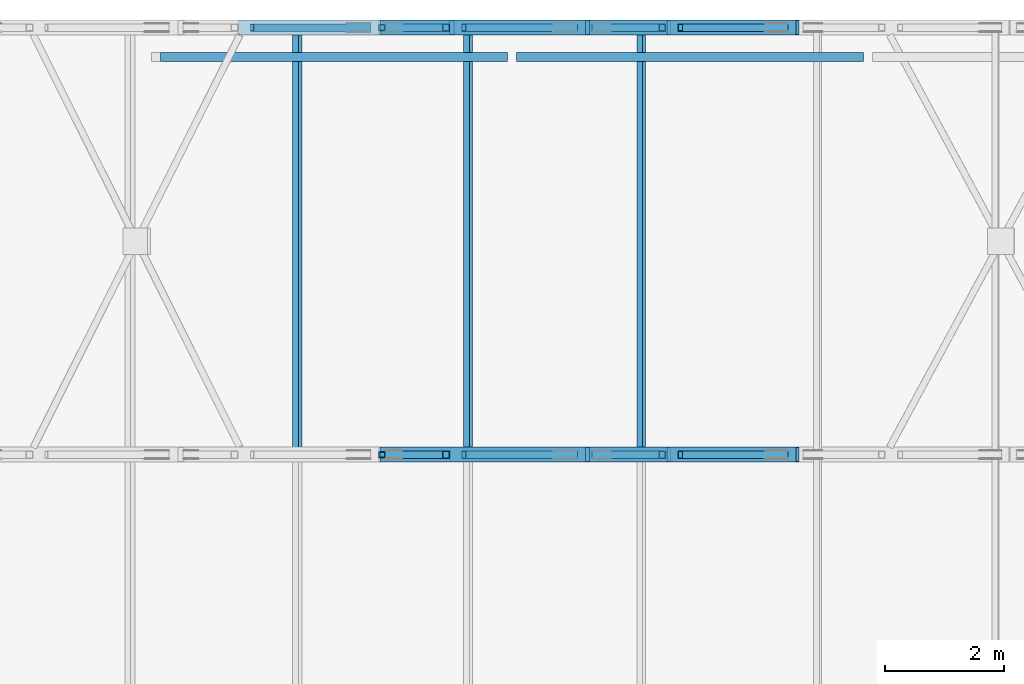
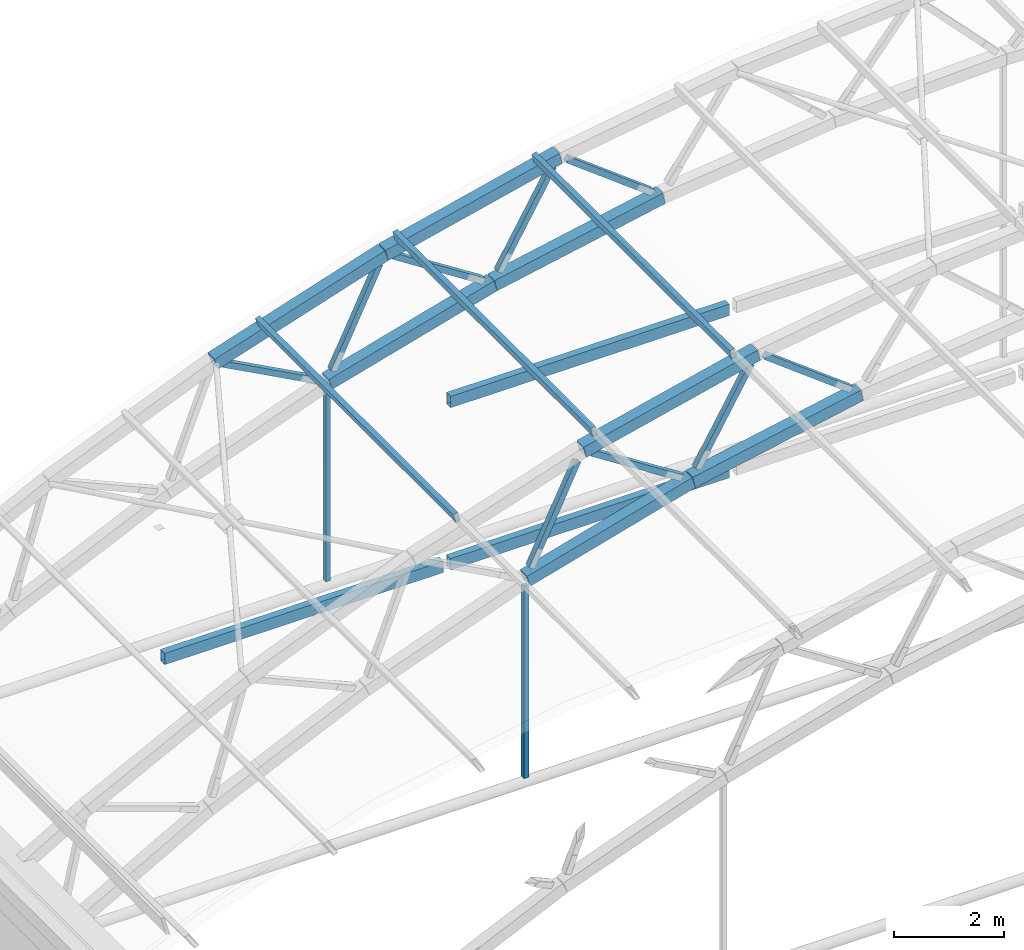
# One storey, part 44 of 127: 21 members, 3 beams.
"""IFC4 building model written with IfcOpenShell, lengths in metres."""

from ifc_helpers import new_model, si_unit, direction, frame, origin, origin_2d, place, context, subcontext, project, spatial, hollow_rectangle, extrude, material, material_profile, profile_set, type_object, element, save


model = new_model("IFC4")

# Units and contexts
model_context = context("Model", 3, precision=1e-05, world=origin(), true_north=direction((0.0, 1.0)))
body_context = subcontext(model_context, "Body", "Model", "MODEL_VIEW")
ifc_project = project(units=[si_unit("LENGTHUNIT", "METRE"), si_unit("AREAUNIT", "SQUARE_METRE"), si_unit("VOLUMEUNIT", "CUBIC_METRE"), si_unit("PLANEANGLEUNIT", "RADIAN"), si_unit("MASSUNIT", "GRAM", prefix="KILO")], contexts=[model_context])

# Site, building, storey
site_placement = place(None, origin())
site = spatial("IfcSite", under=ifc_project, at=site_placement, CompositionType="ELEMENT")
building_placement = place(site_placement, origin())
building = spatial("IfcBuilding", under=site, at=building_placement, Name="Verrick Yard Athletic Hall", CompositionType="ELEMENT")
storey_placement = place(building_placement, frame((0.0, 0.0, 14.0)))
storey = spatial("IfcBuildingStorey", under=building, at=storey_placement, Name="L03", CompositionType="ELEMENT", Elevation=14.0)

# Members
ifc_material = material(Name="Structural steel HSS Class C 350W (CSA G40.20/G40.21)", Category="steel")
ifc_material_profile_1 = material_profile(ifc_material, hollow_rectangle(XDim=0.25390625, YDim=0.25390625, WallThickness=0.009521484375, at=origin_2d()), Name="HSS254x254x9.5")
ifc_profile_set_1 = profile_set([ifc_material_profile_1], Name="Structural steel HSS Class C 350W (CSA G40.20/G40.21)")
member_type_1 = type_object("IfcMemberType", Name="HB bottom chord HSS254x254x9.5", PredefinedType="CHORD", material=ifc_profile_set_1)
for number, where, z_axis, x_axis, name in (
    (1, (131.412353515625, 100.800048828125, 4.514404296875), (0.962572378456, 0.0, 0.271024752066), (0.0, 1.0, 0.0), "Truss TA5 bottom chord 4"),
    (2, (134.883544921875, 100.800048828125, 5.4912109375), (0.980846119722, 0.0, 0.194784212465), (0.0, 1.0, 0.0), "Truss TA5 bottom chord 5"),
    (3, (131.412353515625, 108.0, 4.514404296875), (0.962572378456, 0.0, 0.271024752066), (0.0, 1.0, 0.0), "Truss TA6 bottom chord 4"),
    (4, (134.883544921875, 108.0, 5.4912109375), (0.980846119722, 0.0, 0.194784212465), (0.0, 1.0, 0.0), "Truss TA6 bottom chord 5"),
):
    element("IfcMember", number, at=place(storey_placement, frame(where, z_axis=z_axis, x_axis=x_axis)), inside=storey, type_object=member_type_1, Name=name, PredefinedType="CHORD", context=body_context, shape_type="SweptSolid", body=[
        extrude(hollow_rectangle(XDim=0.25390625, YDim=0.25390625, WallThickness=0.009521484375, at=origin_2d()), origin(), (0.0, 0.0, 1.0), 3.595947265625),
    ])
ifc_material_profile_2 = material_profile(ifc_material, hollow_rectangle(XDim=0.1015625, YDim=0.203125, WallThickness=0.009521484375, at=origin_2d()), Name="HSS203x102x9.5")
ifc_profile_set_2 = profile_set([ifc_material_profile_2], Name="Structural steel HSS Class C 350W (CSA G40.20/G40.21)")
member_type_2 = type_object("IfcMemberType", Name="HB purlin HSS203x102x9.5", PredefinedType="PURLIN", material=ifc_profile_set_2)
for number, where, z_axis, x_axis, name in (
    (5, (129.98095703125, 100.800048828125, 6.3544921875), (0.0, 1.0, 0.0), (-0.951213620533, 0.0, -0.308533058379), "HB-PU-A-5-4"),
    (6, (132.858642578125, 100.800048828125, 7.260009765625), (0.0, 1.0, 0.0), (-0.972458956474, 0.0, -0.23307418985), "HB-PU-A-5-5"),
    (7, (135.776123046875, 100.800048828125, 7.959228515625), (0.0, 1.0, 0.0), (-0.972458956474, 0.0, -0.23307418985), "HB-PU-A-5-6"),
):
    element("IfcMember", number, at=place(storey_placement, frame(where, z_axis=z_axis, x_axis=x_axis)), inside=storey, type_object=member_type_2, Name=name, PredefinedType="PURLIN", context=body_context, shape_type="SweptSolid", body=[
        extrude(hollow_rectangle(XDim=0.1015625, YDim=0.203125, WallThickness=0.009521484375, at=origin_2d()), origin(), (0.0, 0.0, 1.0), 7.199951171875),
    ])
ifc_material_profile_3 = material_profile(ifc_material, hollow_rectangle(XDim=0.25390625, YDim=0.25390625, WallThickness=0.009521484375, at=origin_2d()), Name="HSS254x254x9.5")
ifc_profile_set_3 = profile_set([ifc_material_profile_3], Name="Structural steel HSS Class C 350W (CSA G40.20/G40.21)")
member_type_3 = type_object("IfcMemberType", Name="HB top chord HSS254x254x9.5", PredefinedType="CHORD", material=ifc_profile_set_3)
for number, where, z_axis, x_axis, name in (
    (8, (132.59619140625, 100.800048828125, 6.9619140625), (0.972457525524, 0.0, 0.233080160141), (0.0, 1.0, 0.0), "Truss TA5 top chord 5"),
    (9, (129.016845703125, 108.0, 5.80126953125), (0.951208887206, 0.0, 0.308547650938), (0.0, 1.0, 0.0), "Truss TA6 top chord 4"),
    (10, (132.59619140625, 108.0, 6.9619140625), (0.972457525524, 0.0, 0.233080160141), (0.0, 1.0, 0.0), "Truss TA6 top chord 5"),
):
    element("IfcMember", number, at=place(storey_placement, frame(where, z_axis=z_axis, x_axis=x_axis)), inside=storey, type_object=member_type_3, Name=name, PredefinedType="CHORD", context=body_context, shape_type="SweptSolid", body=[
        extrude(hollow_rectangle(XDim=0.25390625, YDim=0.25390625, WallThickness=0.009521484375, at=origin_2d()), origin(), (0.0, 0.0, 1.0), 3.7529296875),
    ])
ifc_material_profile_4 = material_profile(ifc_material, hollow_rectangle(XDim=0.1015625, YDim=0.1015625, WallThickness=0.00634765625, at=origin_2d()), Name="HSS102x102x6.4")
ifc_profile_set_4 = profile_set([ifc_material_profile_4], Name="Structural steel HSS Class C 350W (CSA G40.20/G40.21)")
member_type_4 = type_object("IfcMemberType", Name="HB truss hanger HSS102x102x6.4", PredefinedType="MEMBER", material=ifc_profile_set_4)
for number, where, z_axis, x_axis, name in (
    (11, (131.407470703125, 100.800048828125, 4.35888671875), (0.0, 0.0, -1.0), (0.0, -1.0, 0.0), "Truss TA5 hanger 1"),
    (12, (131.407470703125, 108.0, 4.35888671875), (0.0, 0.0, -1.0), (0.0, -1.0, 0.0), "Truss TA6 hanger 1"),
):
    element("IfcMember", number, at=place(storey_placement, frame(where, z_axis=z_axis, x_axis=x_axis)), inside=storey, type_object=member_type_4, Name=name, PredefinedType="MEMBER", context=body_context, shape_type="SweptSolid", body=[
        extrude(hollow_rectangle(XDim=0.1015625, YDim=0.1015625, WallThickness=0.00634765625, at=origin_2d()), origin(), (0.0, 0.0, 1.0), 4.249267578125),
    ])
ifc_material_profile_5 = material_profile(ifc_material, hollow_rectangle(XDim=0.126953125, YDim=0.126953125, WallThickness=0.009521484375, at=origin_2d()), Name="HSS127x127x9.5")
ifc_profile_set_5 = profile_set([ifc_material_profile_5], Name="Structural steel HSS Class C 350W (CSA G40.20/G40.21)")
member_type_5 = type_object("IfcMemberType", Name="HB truss web HSS127x127x9.5", PredefinedType="BRACE", material=ifc_profile_set_5)
for number, where, z_axis, x_axis, name in (
    (13, (131.515869140625, 100.800048828125, 4.73681640625), (0.435369492886, 0.0, 0.900251856241), (0.0, 1.0, 0.0), "Truss TA5 web 7"),
    (14, (132.79052734375, 100.800048828125, 6.832763671875), (0.841150064875, 0.0, -0.540801782875), (0.0, 1.0, 0.0), "Truss TA5 web 8"),
    (15, (135.004150390625, 100.800048828125, 5.705078125), (0.504543682156, 0.0, 0.86338616667), (0.0, 1.0, 0.0), "Truss TA5 web 9"),
):
    element("IfcMember", number, at=place(storey_placement, frame(where, z_axis=z_axis, x_axis=x_axis)), inside=storey, type_object=member_type_5, Name=name, PredefinedType="BRACE", context=body_context, shape_type="SweptSolid", body=[
        extrude(hollow_rectangle(XDim=0.126953125, YDim=0.126953125, WallThickness=0.009521484375, at=origin_2d()), origin(), (0.0, 0.0, 1.0), 2.233642578125),
    ])
member_1_placement = place(storey_placement, frame((136.439208984375, 100.800048828125, 7.694580078125), z_axis=(0.796206425538, 0.0, -0.605025063887), x_axis=(0.0, 1.0, 0.0)))
element("IfcMember", 16, at=member_1_placement, inside=storey, type_object=member_type_5, Name="Truss TA5 web 10", PredefinedType="BRACE", context=body_context, shape_type="SweptSolid", body=[
    extrude(hollow_rectangle(XDim=0.126953125, YDim=0.126953125, WallThickness=0.009521484375, at=origin_2d()), origin(), (0.0, 0.0, 1.0), 2.2333984375),
])
for number, where, z_axis, x_axis, name in (
    (17, (129.220703125, 108.0, 5.687744140625), (0.880926928438, 0.0, -0.473252307709), (0.0, 1.0, 0.0), "Truss TA6 web 6"),
    (18, (131.515869140625, 108.0, 4.73681640625), (0.435369492886, 0.0, 0.900251856241), (0.0, 1.0, 0.0), "Truss TA6 web 7"),
    (19, (132.79052734375, 108.0, 6.832763671875), (0.841150064875, 0.0, -0.540801782875), (0.0, 1.0, 0.0), "Truss TA6 web 8"),
    (20, (135.004150390625, 108.0, 5.705078125), (0.504543682156, 0.0, 0.86338616667), (0.0, 1.0, 0.0), "Truss TA6 web 9"),
):
    element("IfcMember", number, at=place(storey_placement, frame(where, z_axis=z_axis, x_axis=x_axis)), inside=storey, type_object=member_type_5, Name=name, PredefinedType="BRACE", context=body_context, shape_type="SweptSolid", body=[
        extrude(hollow_rectangle(XDim=0.126953125, YDim=0.126953125, WallThickness=0.009521484375, at=origin_2d()), origin(), (0.0, 0.0, 1.0), 2.233642578125),
    ])
member_2_placement = place(storey_placement, frame((136.439208984375, 108.0, 7.694580078125), z_axis=(0.796206425538, 0.0, -0.605025063887), x_axis=(0.0, 1.0, 0.0)))
element("IfcMember", 21, at=member_2_placement, inside=storey, type_object=member_type_5, Name="Truss TA6 web 10", PredefinedType="BRACE", context=body_context, shape_type="SweptSolid", body=[
    extrude(hollow_rectangle(XDim=0.126953125, YDim=0.126953125, WallThickness=0.009521484375, at=origin_2d()), origin(), (0.0, 0.0, 1.0), 2.2333984375),
])

# Beams
ifc_material_profile_6 = material_profile(ifc_material, hollow_rectangle(XDim=0.15234375, YDim=0.25390625, WallThickness=0.009521484375, at=origin_2d()), Name="HSS254x152x9.5")
ifc_profile_set_6 = profile_set([ifc_material_profile_6], Name="Structural steel HSS Class C 350W (CSA G40.20/G40.21)")
beam_type = type_object("IfcBeamType", Name="HB wind girder HSS254x152x9.5", PredefinedType="BEAM", material=ifc_profile_set_6)
for number, where, z_axis, x_axis, name in (
    (22, (127.67626953125, 107.50537109375, 0.0), (1.0, 0.0, 0.0), (0.0, 1.0, 0.0), "HB-WG-AN-140-1"),
    (23, (133.67626953125, 107.50537109375, 0.0), (1.0, 0.0, 0.0), (0.0, 1.0, 0.0), "HB-WG-AN-140-2"),
    (24, (133.67626953125, 107.50537109375, 3.60009765625), (1.0, 0.0, 0.0), (0.0, 1.0, 0.0), "HB-WG-AN-176-1"),
):
    element("IfcBeam", number, at=place(storey_placement, frame(where, z_axis=z_axis, x_axis=x_axis)), inside=storey, type_object=beam_type, Name=name, PredefinedType="BEAM", context=body_context, shape_type="SweptSolid", body=[
        extrude(hollow_rectangle(XDim=0.15234375, YDim=0.25390625, WallThickness=0.009521484375, at=origin_2d()), origin(), (0.0, 0.0, 1.0), 5.847412109375),
    ])

save(model, "model.ifc")
